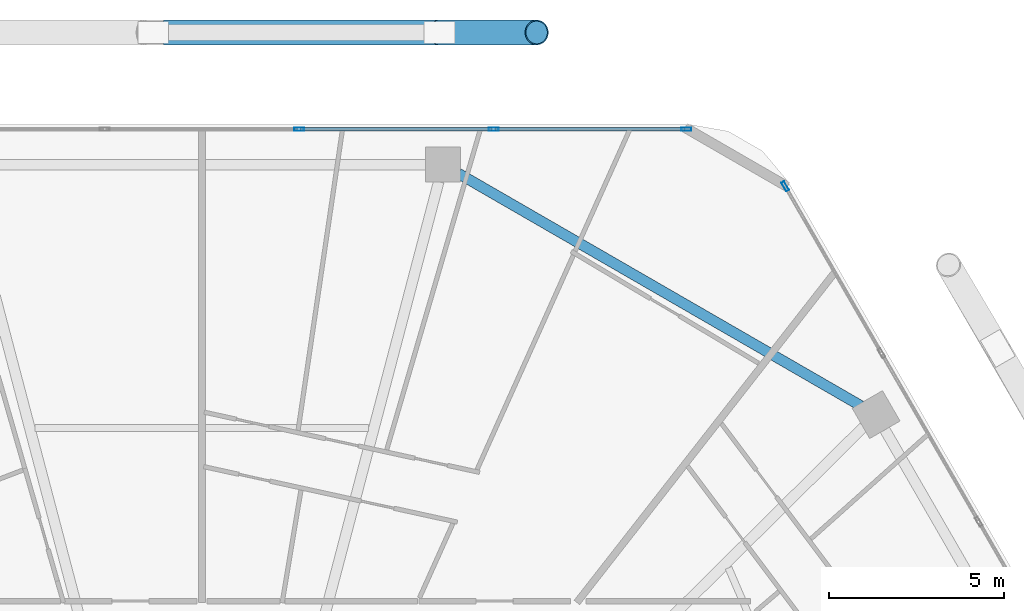
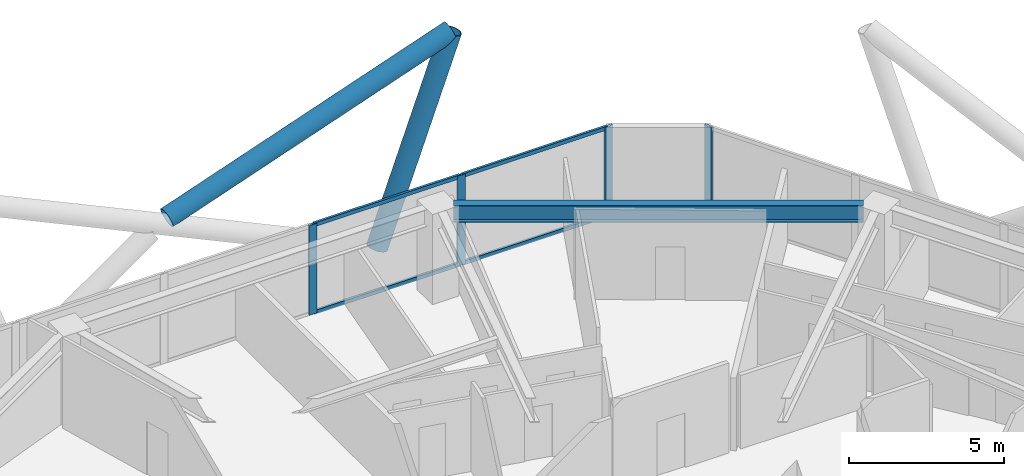
# One storey, part 17 of 28: 10 members, 1 beam, 2 elements without a shape of their own.
"""IFC4 building model written with IfcOpenShell, lengths in metres."""

from ifc_helpers import new_model, si_unit, direction, frame, origin, origin_2d, place, context, subcontext, project, spatial, hollow_rectangle, hollow_circle, i_section, extrude, material, material_profile, profile_set, type_object, element, aggregate, save


model = new_model("IFC4")

# Units and contexts
model_context = context("Model", 3, precision=1e-05, world=origin(), true_north=direction((0.0, 1.0)))
body_context = subcontext(model_context, "Body", "Model", "MODEL_VIEW")
ifc_project = project(units=[si_unit("LENGTHUNIT", "METRE"), si_unit("AREAUNIT", "SQUARE_METRE"), si_unit("VOLUMEUNIT", "CUBIC_METRE"), si_unit("PLANEANGLEUNIT", "RADIAN"), si_unit("MASSUNIT", "GRAM", prefix="KILO")], contexts=[model_context])

# Site, building, storey
site_placement = place(None, origin())
site = spatial("IfcSite", under=ifc_project, at=site_placement, CompositionType="ELEMENT")
building_placement = place(site_placement, origin())
building = spatial("IfcBuilding", under=site, at=building_placement, Name="Zuhravey Tower", CompositionType="ELEMENT")
storey_placement = place(building_placement, frame((0.0, 0.0, 154.199951171875)))
storey = spatial("IfcBuildingStorey", under=building, at=storey_placement, Name="L38", CompositionType="ELEMENT", Elevation=154.199951171875)

# Curtain wall, members
ifc_material_1 = material(Name="Thermally broken anodised aluminium", Category="aluminium")
curtain_wall_type = type_object("IfcCurtainWallType", Name="Zone 1-2 Residential Curtain Wall CW3", PredefinedType="NOTDEFINED", material=ifc_material_1)
curtain_wall_1_placement = place(storey_placement, origin())
curtain_wall_1 = element("IfcCurtainWall", 1, at=curtain_wall_1_placement, inside=storey, type_object=curtain_wall_type, Name="L38 CW3 CW-L38-F2-1", PredefinedType="NOTDEFINED")
ifc_material_2 = material(Name="Anodised aluminium", Category="aluminium")
ifc_material_profile_1 = material_profile(ifc_material_2, hollow_rectangle(XDim=0.090087890625, YDim=0.284912109375, WallThickness=0.0048828125, at=origin_2d()), Name="ALU-RHS-90x285x5")
ifc_profile_set_1 = profile_set([ifc_material_profile_1], Name="Anodised aluminium")
member_type_1 = type_object("IfcMemberType", Name="Curtain-Wall Mullion 90x180", PredefinedType="MULLION", material=ifc_profile_set_1)
member_1_placement = place(storey_placement, frame((38.772216796875, 59.18310546875, 0.0), z_axis=(0.0, 0.0, 1.0), x_axis=(0.0, 1.0, 0.0)))
member_1 = element("IfcMember", 2, at=member_1_placement, type_object=member_type_1, Name="CW3 mullion 4", PredefinedType="MULLION", context=body_context, shape_type="SweptSolid", body=[
    extrude(hollow_rectangle(XDim=0.090087890625, YDim=0.284912109375, WallThickness=0.0048828125, at=origin_2d()), origin(), (0.0, 0.0, 1.0), 3.550048828125),
])
member_2_placement = place(storey_placement, frame((44.316650390625, 59.18310546875, 0.0), z_axis=(0.0, 0.0, 1.0), x_axis=(0.0, 1.0, 0.0)))
member_2 = element("IfcMember", 3, at=member_2_placement, type_object=member_type_1, Name="CW3 mullion 5", PredefinedType="MULLION", context=body_context, shape_type="SweptSolid", body=[
    extrude(hollow_rectangle(XDim=0.090087890625, YDim=0.284912109375, WallThickness=0.0048828125, at=origin_2d()), origin(), (0.0, 0.0, 1.0), 3.550048828125),
])
member_3_placement = place(storey_placement, frame((49.816162109375, 59.18310546875, 0.0), z_axis=(0.0, 0.0, 1.0), x_axis=(0.0, 1.0, 0.0)))
member_3 = element("IfcMember", 4, at=member_3_placement, type_object=member_type_1, Name="CW3 mullion 6", PredefinedType="MULLION", context=body_context, shape_type="SweptSolid", body=[
    extrude(hollow_rectangle(XDim=0.090087890625, YDim=0.284912109375, WallThickness=0.0048828125, at=origin_2d()), origin(), (0.0, 0.0, 1.0), 3.550048828125),
])

# Curtain wall, member
curtain_wall_2_placement = place(storey_placement, origin())
curtain_wall_2 = element("IfcCurtainWall", 5, at=curtain_wall_2_placement, inside=storey, type_object=curtain_wall_type, Name="L38 CW3 CW-L38-F1-1", PredefinedType="NOTDEFINED")
member_4_placement = place(storey_placement, frame((52.63330078125, 57.556640625, 0.0), z_axis=(0.0, 0.0, 1.0), x_axis=(0.866025138215, 0.500000459979, 0.0)))
member_4 = element("IfcMember", 6, at=member_4_placement, type_object=member_type_1, Name="CW3 mullion 1", PredefinedType="MULLION", context=body_context, shape_type="SweptSolid", body=[
    extrude(hollow_rectangle(XDim=0.090087890625, YDim=0.284912109375, WallThickness=0.0048828125, at=origin_2d()), origin(), (0.0, 0.0, 1.0), 3.550048828125),
])
aggregate(curtain_wall_2, [member_4])

# Member
ifc_material_profile_2 = material_profile(ifc_material_2, hollow_rectangle(XDim=0.090087890625, YDim=0.14990234375, WallThickness=0.0048828125, at=origin_2d()), Name="ALU-RHS-90x150x5")
ifc_profile_set_2 = profile_set([ifc_material_profile_2], Name="Anodised aluminium")
member_type_2 = type_object("IfcMemberType", Name="Curtain-Wall Transom 90x150", PredefinedType="USERDEFINED", material=ifc_profile_set_2)
member_5_placement = place(storey_placement, frame((38.817138671875, 59.18310546875, 0.045166015625), z_axis=(1.0, 0.0, 0.0), x_axis=(0.0, 1.0, 0.0)))
member_5 = element("IfcMember", 7, at=member_5_placement, type_object=member_type_2, Name="CW3 transom 4.1", ObjectType="TRANSOM", PredefinedType="USERDEFINED", context=body_context, shape_type="SweptSolid", body=[
    extrude(hollow_rectangle(XDim=0.090087890625, YDim=0.14990234375, WallThickness=0.0048828125, at=origin_2d()), origin(), (0.0, 0.0, 1.0), 5.45458984375),
])

member_6_placement = place(storey_placement, frame((38.817138671875, 59.18310546875, 3.505126953125), z_axis=(1.0, 0.0, 0.0), x_axis=(0.0, 1.0, 0.0)))
member_6 = element("IfcMember", 8, at=member_6_placement, type_object=member_type_2, Name="CW3 transom 4.2", ObjectType="TRANSOM", PredefinedType="USERDEFINED", context=body_context, shape_type="SweptSolid", body=[
    extrude(hollow_rectangle(XDim=0.090087890625, YDim=0.14990234375, WallThickness=0.0048828125, at=origin_2d()), origin(), (0.0, 0.0, 1.0), 5.45458984375),
])

member_7_placement = place(storey_placement, frame((44.361572265625, 59.18310546875, 0.045166015625), z_axis=(1.0, 0.0, 0.0), x_axis=(0.0, 1.0, 0.0)))
member_7 = element("IfcMember", 9, at=member_7_placement, type_object=member_type_2, Name="CW3 transom 5.1", ObjectType="TRANSOM", PredefinedType="USERDEFINED", context=body_context, shape_type="SweptSolid", body=[
    extrude(hollow_rectangle(XDim=0.090087890625, YDim=0.14990234375, WallThickness=0.0048828125, at=origin_2d()), origin(), (0.0, 0.0, 1.0), 5.409423828125),
])

member_8_placement = place(storey_placement, frame((44.361572265625, 59.18310546875, 3.505126953125), z_axis=(1.0, 0.0, 0.0), x_axis=(0.0, 1.0, 0.0)))
member_8 = element("IfcMember", 10, at=member_8_placement, type_object=member_type_2, Name="CW3 transom 5.2", ObjectType="TRANSOM", PredefinedType="USERDEFINED", context=body_context, shape_type="SweptSolid", body=[
    extrude(hollow_rectangle(XDim=0.090087890625, YDim=0.14990234375, WallThickness=0.0048828125, at=origin_2d()), origin(), (0.0, 0.0, 1.0), 5.409423828125),
])

aggregate(curtain_wall_1, [member_1, member_2, member_3, member_5, member_6, member_7, member_8])

# Members
ifc_material_3 = material(Name="Steel SM460", Category="steel")
ifc_material_profile_3 = material_profile(ifc_material_3, hollow_circle(Radius=0.355712890625, WallThickness=0.031982421875, at=origin_2d()), Name="CHS-711.2x32")
ifc_profile_set_3 = profile_set([ifc_material_profile_3], Name="Steel SM460")
member_type_3 = type_object("IfcMemberType", Name="Exoskeleton Zone 2 Diagrid CHS711x32", PredefinedType="BRACE", material=ifc_profile_set_3)
member_9_placement = place(storey_placement, frame((42.788330078125, 61.943115234375, -0.44384765625), z_axis=(0.342868163771, 0.0, 0.939383533107), x_axis=(0.0, 1.0, 0.0)))
element("IfcMember", 11, at=member_9_placement, inside=storey, type_object=member_type_3, Name="L38 Face 2 Diagrid Brace 1", PredefinedType="BRACE", context=body_context, shape_type="SweptSolid", body=[
    extrude(hollow_circle(Radius=0.355712890625, WallThickness=0.031982421875, at=origin_2d()), origin(), (0.0, 0.0, 1.0), 8.047607421875),
])
member_10_placement = place(storey_placement, frame((34.939453125, 61.943115234375, 3.449462890625), z_axis=(0.944653568891, 0.0, 0.328069557841), x_axis=(0.0, 1.0, 0.0)))
element("IfcMember", 12, at=member_10_placement, inside=storey, type_object=member_type_3, Name="L38 Face 2 Split Diagrid Brace 3B", PredefinedType="BRACE", context=body_context, shape_type="SweptSolid", body=[
    extrude(hollow_circle(Radius=0.355712890625, WallThickness=0.031982421875, at=origin_2d()), origin(), (0.0, 0.0, 1.0), 11.190185546875),
])

# Beam
ifc_material_4 = material(Name="Steel SM355", Category="steel")
ifc_material_profile_4 = material_profile(ifc_material_4, i_section(OverallWidth=0.300048828125, OverallDepth=0.679931640625, WebThickness=0.012939453125, FlangeThickness=0.02197265625, at=origin_2d()), Name="H-680x300x13x22")
ifc_profile_set_4 = profile_set([ifc_material_profile_4], Name="Steel SM355")
beam_type = type_object("IfcBeamType", Name="Perimeter Ring Beam H680x300", PredefinedType="BEAM", material=ifc_profile_set_4)
beam_placement = place(storey_placement, frame((54.789794921875, 51.298095703125, 3.2099609375), z_axis=(-0.866022923061, 0.500004296715, 0.0), x_axis=(-0.500004296715, -0.866022923061, 0.0)))
element("IfcBeam", 13, at=beam_placement, inside=storey, type_object=beam_type, Name="L38 PB2 BM-L38-PB-02", PredefinedType="BEAM", context=body_context, shape_type="SweptSolid", body=[
    extrude(i_section(OverallWidth=0.300048828125, OverallDepth=0.679931640625, WebThickness=0.012939453125, FlangeThickness=0.02197265625, at=origin_2d()), origin(), (0.0, 0.0, 1.0), 13.2470703125),
])

save(model, "model.ifc")
